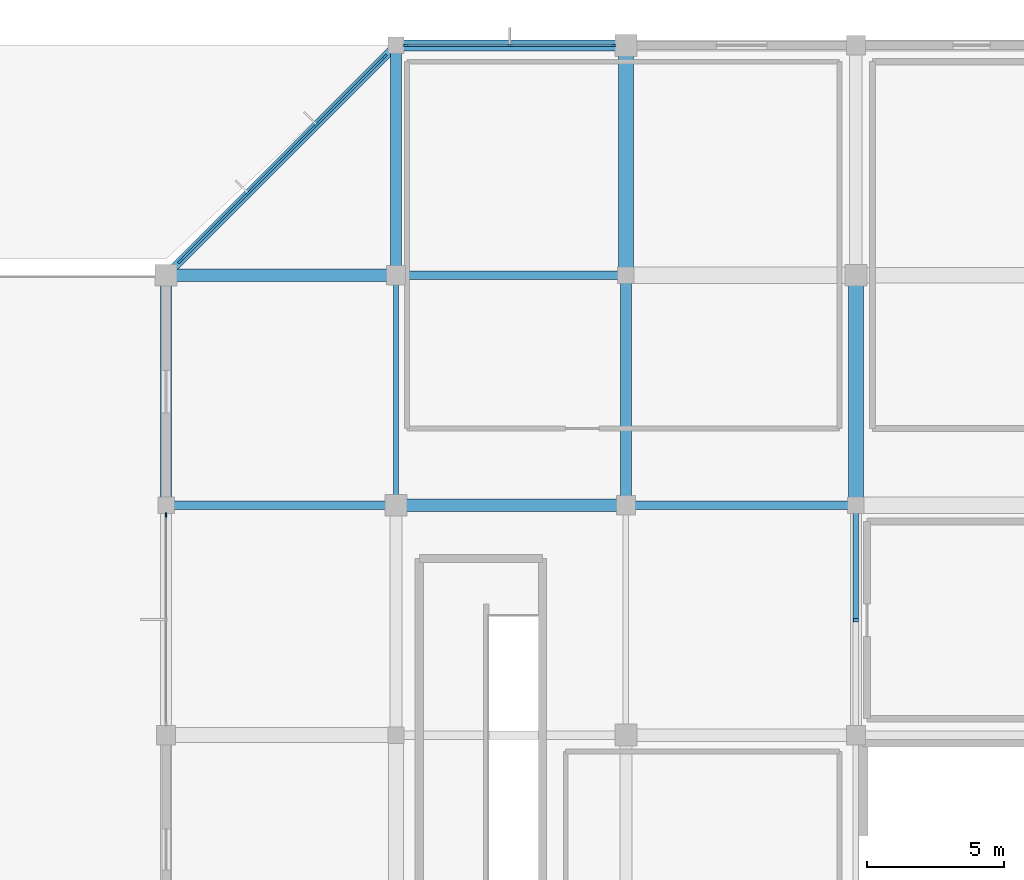
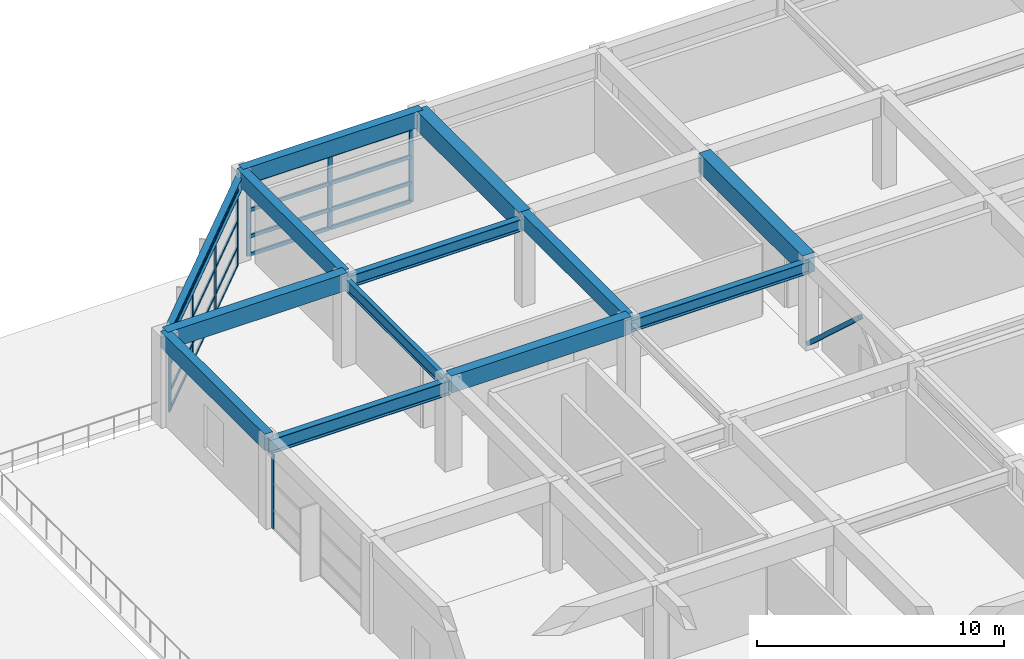
# One storey, part 21 of 56: 29 members, 13 beams, 3 elements without a shape of their own.
"""IFC4 building model written with IfcOpenShell, lengths in metres."""

from ifc_helpers import new_model, si_unit, direction, frame, origin, origin_2d, place, context, subcontext, project, spatial, rectangle, hollow_rectangle, i_section, extrude, material, material_profile, profile_set, type_object, element, aggregate, save


model = new_model("IFC4")

# Units and contexts
model_context = context("Model", 3, precision=1e-05, world=origin(), true_north=direction((0.0, 1.0)))
body_context = subcontext(model_context, "Body", "Model", "MODEL_VIEW")
ifc_project = project(units=[si_unit("LENGTHUNIT", "METRE"), si_unit("AREAUNIT", "SQUARE_METRE"), si_unit("VOLUMEUNIT", "CUBIC_METRE"), si_unit("PLANEANGLEUNIT", "RADIAN"), si_unit("MASSUNIT", "GRAM", prefix="KILO")], contexts=[model_context])

# Site, building, storey
site_placement = place(None, origin())
site = spatial("IfcSite", under=ifc_project, at=site_placement, CompositionType="ELEMENT")
building_placement = place(site_placement, origin())
building = spatial("IfcBuilding", under=site, at=building_placement, Name="Xuanlan Plaza Opera House", CompositionType="ELEMENT")
storey_placement = place(building_placement, frame((0.0, 0.0, 18.89990234375)))
storey = spatial("IfcBuildingStorey", under=building, at=storey_placement, Name="L04", CompositionType="ELEMENT", Elevation=18.89990234375)

# Curtain wall, member
ifc_material_1 = material(Name="Anodised Aluminium 6063-T6 and Low-E Glass", Category="aluminium")
curtain_wall_type_1 = type_object("IfcCurtainWallType", Name="ENV-CW-CW-03", PredefinedType="USERDEFINED", material=ifc_material_1)
curtain_wall_1_placement = place(storey_placement, origin())
curtain_wall_1 = element("IfcCurtainWall", 1, at=curtain_wall_1_placement, inside=storey, type_object=curtain_wall_type_1, Name="Unitised Curtain Wall L04-045", ObjectType="UNITISED CURTAIN WALL", PredefinedType="USERDEFINED")
ifc_material_2 = material(Name="Anodised Aluminium 6063-T6", Category="aluminium")
ifc_material_profile_1 = material_profile(ifc_material_2, rectangle(XDim=0.06494140625, YDim=0.159912109375, at=origin_2d()), Name="ALU-M 65x160")
ifc_profile_set_1 = profile_set([ifc_material_profile_1], Name="Anodised Aluminium 6063-T6")
member_type_1 = type_object("IfcMemberType", Name="ENV-CWM-01", PredefinedType="MULLION", material=ifc_profile_set_1)
member_1_placement = place(storey_placement, frame((16.800048828125, 83.6474609375, 0.0), z_axis=(0.0, 0.0, 1.0), x_axis=(1.0, 0.0, 0.0)))
member_1 = element("IfcMember", 2, at=member_1_placement, type_object=member_type_1, Name="CW-03 mullion 1", PredefinedType="MULLION", context=body_context, shape_type="SweptSolid", body=[
    extrude(rectangle(XDim=0.06494140625, YDim=0.159912109375, at=origin_2d()), origin(), (0.0, 0.0, 1.0), 3.68017578125),
])
aggregate(curtain_wall_1, [member_1])

# Curtain wall, members
curtain_wall_type_2 = type_object("IfcCurtainWallType", Name="ENV-CW-CW-04", PredefinedType="USERDEFINED", material=ifc_material_1)
curtain_wall_2_placement = place(storey_placement, origin())
curtain_wall_2 = element("IfcCurtainWall", 3, at=curtain_wall_2_placement, inside=storey, type_object=curtain_wall_type_2, Name="Unitised Curtain Wall L04-042", ObjectType="UNITISED CURTAIN WALL", PredefinedType="USERDEFINED")
ifc_material_profile_2 = material_profile(ifc_material_2, rectangle(XDim=0.074951171875, YDim=0.199951171875, at=origin_2d()), Name="ALU-M 75x200")
ifc_profile_set_2 = profile_set([ifc_material_profile_2], Name="Anodised Aluminium 6063-T6")
member_type_2 = type_object("IfcMemberType", Name="ENV-CWM-03", PredefinedType="MULLION", material=ifc_profile_set_2)
member_2_placement = place(storey_placement, frame((33.142578125, 100.800048828125, 0.0), z_axis=(0.0, 0.0, 1.0), x_axis=(0.0, -1.0, 0.0)))
member_2 = element("IfcMember", 4, at=member_2_placement, type_object=member_type_2, Name="CW-04 mullion 1", PredefinedType="MULLION", context=body_context, shape_type="SweptSolid", body=[
    extrude(rectangle(XDim=0.074951171875, YDim=0.199951171875, at=origin_2d()), origin(), (0.0, 0.0, 1.0), 3.68017578125),
])
member_3_placement = place(storey_placement, frame((29.35009765625, 100.800048828125, 0.0), z_axis=(0.0, 0.0, 1.0), x_axis=(0.0, -1.0, 0.0)))
member_3 = element("IfcMember", 5, at=member_3_placement, type_object=member_type_2, Name="CW-04 mullion 2", PredefinedType="MULLION", context=body_context, shape_type="SweptSolid", body=[
    extrude(rectangle(XDim=0.074951171875, YDim=0.199951171875, at=origin_2d()), origin(), (0.0, 0.0, 1.0), 3.68017578125),
])
member_4_placement = place(storey_placement, frame((25.5576171875, 100.800048828125, 0.0), z_axis=(0.0, 0.0, 1.0), x_axis=(0.0, -1.0, 0.0)))
member_4 = element("IfcMember", 6, at=member_4_placement, type_object=member_type_2, Name="CW-04 mullion 3", PredefinedType="MULLION", context=body_context, shape_type="SweptSolid", body=[
    extrude(rectangle(XDim=0.074951171875, YDim=0.199951171875, at=origin_2d()), origin(), (0.0, 0.0, 1.0), 3.68017578125),
])

curtain_wall_type_3 = type_object("IfcCurtainWallType", Name="ENV-CW-CW-01", PredefinedType="USERDEFINED", material=ifc_material_1)
curtain_wall_3_placement = place(storey_placement, origin())
curtain_wall_3 = element("IfcCurtainWall", 7, at=curtain_wall_3_placement, inside=storey, type_object=curtain_wall_type_3, Name="Unitised Curtain Wall L04-043", ObjectType="UNITISED CURTAIN WALL", PredefinedType="USERDEFINED")
ifc_material_profile_3 = material_profile(ifc_material_2, rectangle(XDim=0.080078125, YDim=0.219970703125, at=origin_2d()), Name="ALU-M 80x220")
ifc_profile_set_3 = profile_set([ifc_material_profile_3], Name="Anodised Aluminium 6063-T6")
member_type_3 = type_object("IfcMemberType", Name="ENV-CWM-04", PredefinedType="MULLION", material=ifc_profile_set_3)
member_5_placement = place(storey_placement, frame((24.772705078125, 100.372802734375, 0.0), z_axis=(0.0, 0.0, 1.0), x_axis=(0.707106781187, -0.707106781187, 0.0)))
member_5 = element("IfcMember", 8, at=member_5_placement, type_object=member_type_3, Name="CW-01 mullion 1", PredefinedType="MULLION", context=body_context, shape_type="SweptSolid", body=[
    extrude(rectangle(XDim=0.080078125, YDim=0.219970703125, at=origin_2d()), origin(), (0.0, 0.0, 1.0), 3.68017578125),
])
member_6_placement = place(storey_placement, frame((22.30029296875, 97.900390625, 0.0), z_axis=(0.0, 0.0, 1.0), x_axis=(0.707106781187, -0.707106781187, 0.0)))
member_6 = element("IfcMember", 9, at=member_6_placement, type_object=member_type_3, Name="CW-01 mullion 2", PredefinedType="MULLION", context=body_context, shape_type="SweptSolid", body=[
    extrude(rectangle(XDim=0.080078125, YDim=0.219970703125, at=origin_2d()), origin(), (0.0, 0.0, 1.0), 3.68017578125),
])
member_7_placement = place(storey_placement, frame((19.799560546875, 95.399658203125, 0.0), z_axis=(0.0, 0.0, 1.0), x_axis=(0.707106781187, -0.707106781187, 0.0)))
member_7 = element("IfcMember", 10, at=member_7_placement, type_object=member_type_3, Name="CW-01 mullion 3", PredefinedType="MULLION", context=body_context, shape_type="SweptSolid", body=[
    extrude(rectangle(XDim=0.080078125, YDim=0.219970703125, at=origin_2d()), origin(), (0.0, 0.0, 1.0), 3.68017578125),
])
member_8_placement = place(storey_placement, frame((17.327392578125, 92.92724609375, 0.0), z_axis=(0.0, 0.0, 1.0), x_axis=(0.707106781187, -0.707106781187, 0.0)))
member_8 = element("IfcMember", 11, at=member_8_placement, type_object=member_type_3, Name="CW-01 mullion 4", PredefinedType="MULLION", context=body_context, shape_type="SweptSolid", body=[
    extrude(rectangle(XDim=0.080078125, YDim=0.219970703125, at=origin_2d()), origin(), (0.0, 0.0, 1.0), 3.68017578125),
])
ifc_material_profile_4 = material_profile(ifc_material_2, rectangle(XDim=0.070068359375, YDim=0.135009765625, at=origin_2d()), Name="ALU-T 70x135")
ifc_profile_set_4 = profile_set([ifc_material_profile_4], Name="Anodised Aluminium 6063-T6")
member_type_4 = type_object("IfcMemberType", Name="ENV-CWT-02", PredefinedType="USERDEFINED", material=ifc_profile_set_4)
member_9_placement = place(storey_placement, frame((24.744384765625, 100.344482421875, 0.03515625), z_axis=(-0.707106781187, -0.707106781187, 0.0), x_axis=(0.707106781187, -0.707106781187, 0.0)))
member_9 = element("IfcMember", 12, at=member_9_placement, type_object=member_type_4, Name="CW-01 transom 1.1", ObjectType="TRANSOM", PredefinedType="USERDEFINED", context=body_context, shape_type="SweptSolid", body=[
    extrude(rectangle(XDim=0.070068359375, YDim=0.135009765625, at=origin_2d()), origin(), (0.0, 0.0, 1.0), 3.41650390625),
])
member_10_placement = place(storey_placement, frame((24.744384765625, 100.344482421875, 0.9501953125), z_axis=(-0.707106781187, -0.707106781187, 0.0), x_axis=(0.707106781187, -0.707106781187, 0.0)))
member_10 = element("IfcMember", 13, at=member_10_placement, type_object=member_type_4, Name="CW-01 transom 1.2", ObjectType="TRANSOM", PredefinedType="USERDEFINED", context=body_context, shape_type="SweptSolid", body=[
    extrude(rectangle(XDim=0.070068359375, YDim=0.135009765625, at=origin_2d()), origin(), (0.0, 0.0, 1.0), 3.41650390625),
])
member_11_placement = place(storey_placement, frame((24.744384765625, 100.344482421875, 2.25), z_axis=(-0.707106781187, -0.707106781187, 0.0), x_axis=(0.707106781187, -0.707106781187, 0.0)))
member_11 = element("IfcMember", 14, at=member_11_placement, type_object=member_type_4, Name="CW-01 transom 1.3", ObjectType="TRANSOM", PredefinedType="USERDEFINED", context=body_context, shape_type="SweptSolid", body=[
    extrude(rectangle(XDim=0.070068359375, YDim=0.135009765625, at=origin_2d()), origin(), (0.0, 0.0, 1.0), 3.41650390625),
])
member_12_placement = place(storey_placement, frame((24.744384765625, 100.344482421875, 3.64501953125), z_axis=(-0.707106781187, -0.707106781187, 0.0), x_axis=(0.707106781187, -0.707106781187, 0.0)))
member_12 = element("IfcMember", 15, at=member_12_placement, type_object=member_type_4, Name="CW-01 transom 1.4", ObjectType="TRANSOM", PredefinedType="USERDEFINED", context=body_context, shape_type="SweptSolid", body=[
    extrude(rectangle(XDim=0.070068359375, YDim=0.135009765625, at=origin_2d()), origin(), (0.0, 0.0, 1.0), 3.41650390625),
])
member_13_placement = place(storey_placement, frame((22.27197265625, 97.8720703125, 0.03515625), z_axis=(-0.707106781187, -0.707106781187, 0.0), x_axis=(0.707106781187, -0.707106781187, 0.0)))
member_13 = element("IfcMember", 16, at=member_13_placement, type_object=member_type_4, Name="CW-01 transom 2.1", ObjectType="TRANSOM", PredefinedType="USERDEFINED", context=body_context, shape_type="SweptSolid", body=[
    extrude(rectangle(XDim=0.070068359375, YDim=0.135009765625, at=origin_2d()), origin(), (0.0, 0.0, 1.0), 3.45654296875),
])
member_14_placement = place(storey_placement, frame((22.27197265625, 97.8720703125, 0.9501953125), z_axis=(-0.707106781187, -0.707106781187, 0.0), x_axis=(0.707106781187, -0.707106781187, 0.0)))
member_14 = element("IfcMember", 17, at=member_14_placement, type_object=member_type_4, Name="CW-01 transom 2.2", ObjectType="TRANSOM", PredefinedType="USERDEFINED", context=body_context, shape_type="SweptSolid", body=[
    extrude(rectangle(XDim=0.070068359375, YDim=0.135009765625, at=origin_2d()), origin(), (0.0, 0.0, 1.0), 3.45654296875),
])
member_15_placement = place(storey_placement, frame((22.27197265625, 97.8720703125, 2.25), z_axis=(-0.707106781187, -0.707106781187, 0.0), x_axis=(0.707106781187, -0.707106781187, 0.0)))
member_15 = element("IfcMember", 18, at=member_15_placement, type_object=member_type_4, Name="CW-01 transom 2.3", ObjectType="TRANSOM", PredefinedType="USERDEFINED", context=body_context, shape_type="SweptSolid", body=[
    extrude(rectangle(XDim=0.070068359375, YDim=0.135009765625, at=origin_2d()), origin(), (0.0, 0.0, 1.0), 3.45654296875),
])
member_16_placement = place(storey_placement, frame((22.27197265625, 97.8720703125, 3.64501953125), z_axis=(-0.707106781187, -0.707106781187, 0.0), x_axis=(0.707106781187, -0.707106781187, 0.0)))
member_16 = element("IfcMember", 19, at=member_16_placement, type_object=member_type_4, Name="CW-01 transom 2.4", ObjectType="TRANSOM", PredefinedType="USERDEFINED", context=body_context, shape_type="SweptSolid", body=[
    extrude(rectangle(XDim=0.070068359375, YDim=0.135009765625, at=origin_2d()), origin(), (0.0, 0.0, 1.0), 3.45654296875),
])
member_17_placement = place(storey_placement, frame((19.771484375, 95.371337890625, 0.03515625), z_axis=(-0.707142508988, -0.70707105158, 0.0), x_axis=(0.70707105158, -0.707142508988, 0.0)))
member_17 = element("IfcMember", 20, at=member_17_placement, type_object=member_type_4, Name="CW-01 transom 3.1", ObjectType="TRANSOM", PredefinedType="USERDEFINED", context=body_context, shape_type="SweptSolid", body=[
    extrude(rectangle(XDim=0.070068359375, YDim=0.135009765625, at=origin_2d()), origin(), (0.0, 0.0, 1.0), 3.41650390625),
])
member_18_placement = place(storey_placement, frame((19.771484375, 95.371337890625, 0.9501953125), z_axis=(-0.707142508988, -0.70707105158, 0.0), x_axis=(0.70707105158, -0.707142508988, 0.0)))
member_18 = element("IfcMember", 21, at=member_18_placement, type_object=member_type_4, Name="CW-01 transom 3.2", ObjectType="TRANSOM", PredefinedType="USERDEFINED", context=body_context, shape_type="SweptSolid", body=[
    extrude(rectangle(XDim=0.070068359375, YDim=0.135009765625, at=origin_2d()), origin(), (0.0, 0.0, 1.0), 3.41650390625),
])
member_19_placement = place(storey_placement, frame((19.771484375, 95.371337890625, 2.25), z_axis=(-0.707142508988, -0.70707105158, 0.0), x_axis=(0.70707105158, -0.707142508988, 0.0)))
member_19 = element("IfcMember", 22, at=member_19_placement, type_object=member_type_4, Name="CW-01 transom 3.3", ObjectType="TRANSOM", PredefinedType="USERDEFINED", context=body_context, shape_type="SweptSolid", body=[
    extrude(rectangle(XDim=0.070068359375, YDim=0.135009765625, at=origin_2d()), origin(), (0.0, 0.0, 1.0), 3.41650390625),
])
member_20_placement = place(storey_placement, frame((19.771484375, 95.371337890625, 3.64501953125), z_axis=(-0.707142508988, -0.70707105158, 0.0), x_axis=(0.70707105158, -0.707142508988, 0.0)))
member_20 = element("IfcMember", 23, at=member_20_placement, type_object=member_type_4, Name="CW-01 transom 3.4", ObjectType="TRANSOM", PredefinedType="USERDEFINED", context=body_context, shape_type="SweptSolid", body=[
    extrude(rectangle(XDim=0.070068359375, YDim=0.135009765625, at=origin_2d()), origin(), (0.0, 0.0, 1.0), 3.41650390625),
])
aggregate(curtain_wall_3, [member_5, member_6, member_7, member_8, member_9, member_10, member_11, member_12, member_13, member_14, member_15, member_16, member_17, member_18, member_19, member_20])

# Member
ifc_material_profile_5 = material_profile(ifc_material_2, rectangle(XDim=0.090087890625, YDim=0.179931640625, at=origin_2d()), Name="ALU-T 90x180")
ifc_profile_set_5 = profile_set([ifc_material_profile_5], Name="Anodised Aluminium 6063-T6")
member_type_5 = type_object("IfcMemberType", Name="ENV-CWT-05", PredefinedType="USERDEFINED", material=ifc_profile_set_5)
member_21_placement = place(storey_placement, frame((33.10498046875, 100.800048828125, 0.045166015625), z_axis=(-1.0, 0.0, 0.0), x_axis=(0.0, -1.0, 0.0)))
member_21 = element("IfcMember", 24, at=member_21_placement, type_object=member_type_5, Name="CW-04 transom 1.1", ObjectType="TRANSOM", PredefinedType="USERDEFINED", context=body_context, shape_type="SweptSolid", body=[
    extrude(rectangle(XDim=0.090087890625, YDim=0.179931640625, at=origin_2d()), origin(), (0.0, 0.0, 1.0), 3.717529296875),
])

member_22_placement = place(storey_placement, frame((33.10498046875, 100.800048828125, 0.9501953125), z_axis=(-1.0, 0.0, 0.0), x_axis=(0.0, -1.0, 0.0)))
member_22 = element("IfcMember", 25, at=member_22_placement, type_object=member_type_5, Name="CW-04 transom 1.2", ObjectType="TRANSOM", PredefinedType="USERDEFINED", context=body_context, shape_type="SweptSolid", body=[
    extrude(rectangle(XDim=0.090087890625, YDim=0.179931640625, at=origin_2d()), origin(), (0.0, 0.0, 1.0), 3.717529296875),
])

member_23_placement = place(storey_placement, frame((33.10498046875, 100.800048828125, 2.25), z_axis=(-1.0, 0.0, 0.0), x_axis=(0.0, -1.0, 0.0)))
member_23 = element("IfcMember", 26, at=member_23_placement, type_object=member_type_5, Name="CW-04 transom 1.3", ObjectType="TRANSOM", PredefinedType="USERDEFINED", context=body_context, shape_type="SweptSolid", body=[
    extrude(rectangle(XDim=0.090087890625, YDim=0.179931640625, at=origin_2d()), origin(), (0.0, 0.0, 1.0), 3.717529296875),
])

member_24_placement = place(storey_placement, frame((33.10498046875, 100.800048828125, 3.635009765625), z_axis=(-1.0, 0.0, 0.0), x_axis=(0.0, -1.0, 0.0)))
member_24 = element("IfcMember", 27, at=member_24_placement, type_object=member_type_5, Name="CW-04 transom 1.4", ObjectType="TRANSOM", PredefinedType="USERDEFINED", context=body_context, shape_type="SweptSolid", body=[
    extrude(rectangle(XDim=0.090087890625, YDim=0.179931640625, at=origin_2d()), origin(), (0.0, 0.0, 1.0), 3.717529296875),
])

member_25_placement = place(storey_placement, frame((29.3125, 100.800048828125, 0.045166015625), z_axis=(-1.0, 0.0, 0.0), x_axis=(0.0, -1.0, 0.0)))
member_25 = element("IfcMember", 28, at=member_25_placement, type_object=member_type_5, Name="CW-04 transom 2.1", ObjectType="TRANSOM", PredefinedType="USERDEFINED", context=body_context, shape_type="SweptSolid", body=[
    extrude(rectangle(XDim=0.090087890625, YDim=0.179931640625, at=origin_2d()), origin(), (0.0, 0.0, 1.0), 3.717529296875),
])

member_26_placement = place(storey_placement, frame((29.3125, 100.800048828125, 0.9501953125), z_axis=(-1.0, 0.0, 0.0), x_axis=(0.0, -1.0, 0.0)))
member_26 = element("IfcMember", 29, at=member_26_placement, type_object=member_type_5, Name="CW-04 transom 2.2", ObjectType="TRANSOM", PredefinedType="USERDEFINED", context=body_context, shape_type="SweptSolid", body=[
    extrude(rectangle(XDim=0.090087890625, YDim=0.179931640625, at=origin_2d()), origin(), (0.0, 0.0, 1.0), 3.717529296875),
])

member_27_placement = place(storey_placement, frame((29.3125, 100.800048828125, 2.25), z_axis=(-1.0, 0.0, 0.0), x_axis=(0.0, -1.0, 0.0)))
member_27 = element("IfcMember", 30, at=member_27_placement, type_object=member_type_5, Name="CW-04 transom 2.3", ObjectType="TRANSOM", PredefinedType="USERDEFINED", context=body_context, shape_type="SweptSolid", body=[
    extrude(rectangle(XDim=0.090087890625, YDim=0.179931640625, at=origin_2d()), origin(), (0.0, 0.0, 1.0), 3.717529296875),
])

member_28_placement = place(storey_placement, frame((29.3125, 100.800048828125, 3.635009765625), z_axis=(-1.0, 0.0, 0.0), x_axis=(0.0, -1.0, 0.0)))
member_28 = element("IfcMember", 31, at=member_28_placement, type_object=member_type_5, Name="CW-04 transom 2.4", ObjectType="TRANSOM", PredefinedType="USERDEFINED", context=body_context, shape_type="SweptSolid", body=[
    extrude(rectangle(XDim=0.090087890625, YDim=0.179931640625, at=origin_2d()), origin(), (0.0, 0.0, 1.0), 3.717529296875),
])

aggregate(curtain_wall_2, [member_2, member_3, member_4, member_21, member_22, member_23, member_24, member_25, member_26, member_27, member_28])

# Beams
ifc_material_3 = material(Name="Concrete C50", Category="concrete")
ifc_material_profile_6 = material_profile(ifc_material_3, rectangle(XDim=0.550048828125, YDim=0.949951171875, at=origin_2d()), Name="RC-BM 550x950")
ifc_profile_set_6 = profile_set([ifc_material_profile_6], Name="Concrete C50")
beam_type_1 = type_object("IfcBeamType", Name="STR-BM-B-02", PredefinedType="BEAM", material=ifc_profile_set_6)
beam_1_placement = place(storey_placement, frame((33.60009765625, 92.39990234375, 4.025146484375), z_axis=(0.0, 1.0, 0.0), x_axis=(-1.0, 0.0, 0.0)))
element("IfcBeam", 32, at=beam_1_placement, inside=storey, type_object=beam_type_1, Name="Grid Beam Y L04 5/L-M", PredefinedType="BEAM", context=body_context, shape_type="SweptSolid", body=[
    extrude(rectangle(XDim=0.550048828125, YDim=0.949951171875, at=origin_2d()), origin(), (0.0, 0.0, 1.0), 8.400146484375),
])
beam_2_placement = place(storey_placement, frame((42.0, 84.0, 4.025146484375), z_axis=(0.0, 1.0, 0.0), x_axis=(-1.0, 0.0, 0.0)))
element("IfcBeam", 33, at=beam_2_placement, inside=storey, type_object=beam_type_1, Name="Grid Beam Y L04 6/K-L", PredefinedType="BEAM", context=body_context, shape_type="SweptSolid", body=[
    extrude(rectangle(XDim=0.550048828125, YDim=0.949951171875, at=origin_2d()), origin(), (0.0, 0.0, 1.0), 8.39990234375),
])
ifc_material_4 = material(Name="Concrete C40", Category="concrete")
ifc_material_profile_7 = material_profile(ifc_material_4, rectangle(XDim=0.449951171875, YDim=0.85009765625, at=origin_2d()), Name="RC-BM 450x850")
ifc_profile_set_7 = profile_set([ifc_material_profile_7], Name="Concrete C40")
beam_type_2 = type_object("IfcBeamType", Name="STR-BM-B-04", PredefinedType="BEAM", material=ifc_profile_set_7)
beam_3_placement = place(storey_placement, frame((25.199951171875, 84.0, 4.0751953125), z_axis=(1.0, 0.0, 0.0), x_axis=(0.0, 1.0, 0.0)))
element("IfcBeam", 34, at=beam_3_placement, inside=storey, type_object=beam_type_2, Name="Grid Beam X L04 4-5/K", PredefinedType="BEAM", context=body_context, shape_type="SweptSolid", body=[
    extrude(rectangle(XDim=0.449951171875, YDim=0.85009765625, at=origin_2d()), origin(), (0.0, 0.0, 1.0), 8.400146484375),
])
beam_4_placement = place(storey_placement, frame((16.800048828125, 92.39990234375, 4.0751953125), z_axis=(1.0, 0.0, 0.0), x_axis=(0.0, 1.0, 0.0)))
element("IfcBeam", 35, at=beam_4_placement, inside=storey, type_object=beam_type_2, Name="Grid Beam X L04 3-4/L", PredefinedType="BEAM", context=body_context, shape_type="SweptSolid", body=[
    extrude(rectangle(XDim=0.449951171875, YDim=0.85009765625, at=origin_2d()), origin(), (0.0, 0.0, 1.0), 8.39990234375),
])
ifc_material_profile_8 = material_profile(ifc_material_4, rectangle(XDim=0.39990234375, YDim=0.75, at=origin_2d()), Name="RC-BM 400x750")
ifc_profile_set_8 = profile_set([ifc_material_profile_8], Name="Concrete C40")
beam_type_3 = type_object("IfcBeamType", Name="STR-BM-B-06", PredefinedType="BEAM", material=ifc_profile_set_8)
beam_5_placement = place(storey_placement, frame((25.199951171875, 92.39990234375, 4.125), z_axis=(0.0, 1.0, 0.0), x_axis=(-1.0, 0.0, 0.0)))
element("IfcBeam", 36, at=beam_5_placement, inside=storey, type_object=beam_type_3, Name="Grid Beam Y L04 4/L-M", PredefinedType="BEAM", context=body_context, shape_type="SweptSolid", body=[
    extrude(rectangle(XDim=0.39990234375, YDim=0.75, at=origin_2d()), origin(), (0.0, 0.0, 1.0), 8.400146484375),
])
beam_6_placement = place(storey_placement, frame((33.60009765625, 84.0, 4.125), z_axis=(0.0, 1.0, 0.0), x_axis=(-1.0, 0.0, 0.0)))
element("IfcBeam", 37, at=beam_6_placement, inside=storey, type_object=beam_type_3, Name="Grid Beam Y L04 5/K-L", PredefinedType="BEAM", context=body_context, shape_type="SweptSolid", body=[
    extrude(rectangle(XDim=0.39990234375, YDim=0.75, at=origin_2d()), origin(), (0.0, 0.0, 1.0), 8.39990234375),
])
ifc_material_5 = material(Name="Steel Q355B", Category="steel")
ifc_material_profile_9 = material_profile(ifc_material_5, i_section(OverallWidth=0.300048828125, OverallDepth=0.699951171875, WebThickness=0.012939453125, FlangeThickness=0.02392578125, FilletRadius=0.02392578125, at=origin_2d()), Name="HN 700x300x13x24")
ifc_profile_set_9 = profile_set([ifc_material_profile_9], Name="Steel Q355B")
beam_type_4 = type_object("IfcBeamType", Name="STR-BM-SB-03", PredefinedType="BEAM", material=ifc_profile_set_9)
beam_7_placement = place(storey_placement, frame((16.800048828125, 84.0, 3.885009765625), z_axis=(1.0, 0.0, 0.0), x_axis=(0.0, 1.0, 0.0)))
element("IfcBeam", 38, at=beam_7_placement, inside=storey, type_object=beam_type_4, Name="Grid Beam X L04 3-4/K", PredefinedType="BEAM", context=body_context, shape_type="SweptSolid", body=[
    extrude(i_section(OverallWidth=0.300048828125, OverallDepth=0.699951171875, WebThickness=0.012939453125, FlangeThickness=0.02392578125, FilletRadius=0.02392578125, at=origin_2d()), origin(), (0.0, 0.0, 1.0), 8.39990234375),
])
ifc_material_profile_10 = material_profile(ifc_material_5, i_section(OverallWidth=0.199951171875, OverallDepth=0.60009765625, WebThickness=0.010986328125, FlangeThickness=0.01708984375, FilletRadius=0.02197265625, at=origin_2d()), Name="HN 600x200x11x17")
ifc_profile_set_10 = profile_set([ifc_material_profile_10], Name="Steel Q355B")
beam_type_5 = type_object("IfcBeamType", Name="STR-BM-SB-04", PredefinedType="BEAM", material=ifc_profile_set_10)
beam_8_placement = place(storey_placement, frame((25.199951171875, 84.0, 3.93505859375), z_axis=(0.0, 1.0, 0.0), x_axis=(-1.0, 0.0, 0.0)))
element("IfcBeam", 39, at=beam_8_placement, inside=storey, type_object=beam_type_5, Name="Grid Beam Y L04 4/K-L", PredefinedType="BEAM", context=body_context, shape_type="SweptSolid", body=[
    extrude(i_section(OverallWidth=0.199951171875, OverallDepth=0.60009765625, WebThickness=0.010986328125, FlangeThickness=0.01708984375, FilletRadius=0.02197265625, at=origin_2d()), origin(), (0.0, 0.0, 1.0), 8.39990234375),
])
ifc_material_profile_11 = material_profile(ifc_material_5, i_section(OverallWidth=0.300048828125, OverallDepth=0.587890625, WebThickness=0.011962890625, FlangeThickness=0.02001953125, FilletRadius=0.02392578125, at=origin_2d()), Name="HM 588x300x12x20")
ifc_profile_set_11 = profile_set([ifc_material_profile_11], Name="Steel Q355B")
beam_type_6 = type_object("IfcBeamType", Name="STR-BM-SB-06", PredefinedType="BEAM", material=ifc_profile_set_11)
beam_9_placement = place(storey_placement, frame((33.60009765625, 84.0, 3.941162109375), z_axis=(1.0, 0.0, 0.0), x_axis=(0.0, 1.0, 0.0)))
element("IfcBeam", 40, at=beam_9_placement, inside=storey, type_object=beam_type_6, Name="Grid Beam X L04 5-6/K", PredefinedType="BEAM", context=body_context, shape_type="SweptSolid", body=[
    extrude(i_section(OverallWidth=0.300048828125, OverallDepth=0.587890625, WebThickness=0.011962890625, FlangeThickness=0.02001953125, FilletRadius=0.02392578125, at=origin_2d()), origin(), (0.0, 0.0, 1.0), 8.39990234375),
])
beam_10_placement = place(storey_placement, frame((25.199951171875, 92.39990234375, 3.941162109375), z_axis=(1.0, 0.0, 0.0), x_axis=(0.0, 1.0, 0.0)))
element("IfcBeam", 41, at=beam_10_placement, inside=storey, type_object=beam_type_6, Name="Grid Beam X L04 4-5/L", PredefinedType="BEAM", context=body_context, shape_type="SweptSolid", body=[
    extrude(i_section(OverallWidth=0.300048828125, OverallDepth=0.587890625, WebThickness=0.011962890625, FlangeThickness=0.02001953125, FilletRadius=0.02392578125, at=origin_2d()), origin(), (0.0, 0.0, 1.0), 8.400146484375),
])
ifc_material_profile_12 = material_profile(ifc_material_4, rectangle(XDim=0.39990234375, YDim=0.800048828125, at=origin_2d()), Name="RC-SPD 400x800")
ifc_profile_set_12 = profile_set([ifc_material_profile_12], Name="Concrete C40")
beam_type_7 = type_object("IfcBeamType", Name="STR-BM-SP-01", PredefinedType="SPANDREL", material=ifc_profile_set_12)
beam_11_placement = place(storey_placement, frame((25.199951171875, 100.800048828125, 4.10009765625), z_axis=(1.0, 0.0, 0.0), x_axis=(0.0, 1.0, 0.0)))
element("IfcBeam", 42, at=beam_11_placement, inside=storey, type_object=beam_type_7, Name="Grid Beam X L04 4-5/M", PredefinedType="SPANDREL", context=body_context, shape_type="SweptSolid", body=[
    extrude(rectangle(XDim=0.39990234375, YDim=0.800048828125, at=origin_2d()), origin(), (0.0, 0.0, 1.0), 8.400146484375),
])
beam_12_placement = place(storey_placement, frame((16.800048828125, 84.0, 4.10009765625), z_axis=(0.0, 1.0, 0.0), x_axis=(-1.0, 0.0, 0.0)))
element("IfcBeam", 43, at=beam_12_placement, inside=storey, type_object=beam_type_7, Name="Grid Beam Y L04 3/K-L", PredefinedType="SPANDREL", context=body_context, shape_type="SweptSolid", body=[
    extrude(rectangle(XDim=0.39990234375, YDim=0.800048828125, at=origin_2d()), origin(), (0.0, 0.0, 1.0), 8.39990234375),
])
ifc_material_profile_13 = material_profile(ifc_material_5, i_section(OverallWidth=0.300048828125, OverallDepth=0.587890625, WebThickness=0.011962890625, FlangeThickness=0.02001953125, FilletRadius=0.02392578125, at=origin_2d()), Name="HM 588x300x12x20")
ifc_profile_set_13 = profile_set([ifc_material_profile_13], Name="Steel Q355B")
beam_type_8 = type_object("IfcBeamType", Name="STR-BM-SP-03", PredefinedType="SPANDREL", material=ifc_profile_set_13)
beam_13_placement = place(storey_placement, frame((16.800048828125, 92.39990234375, 3.941162109375), z_axis=(0.707096505339, 0.707117056885, 0.0), x_axis=(-0.707117056885, 0.707096505339, 0.0)))
element("IfcBeam", 44, at=beam_13_placement, inside=storey, type_object=beam_type_8, Name="Faceted Edge Spandrel L04 CH04", PredefinedType="SPANDREL", context=body_context, shape_type="SweptSolid", body=[
    extrude(i_section(OverallWidth=0.300048828125, OverallDepth=0.587890625, WebThickness=0.011962890625, FlangeThickness=0.02001953125, FilletRadius=0.02392578125, at=origin_2d()), origin(), (0.0, 0.0, 1.0), 11.87939453125),
])

# Member
ifc_material_profile_14 = material_profile(ifc_material_5, hollow_rectangle(XDim=0.199951171875, YDim=0.199951171875, WallThickness=0.010009765625, at=origin_2d()), Name="SHS 200x200x10")
ifc_profile_set_14 = profile_set([ifc_material_profile_14], Name="Steel Q355B")
member_type_6 = type_object("IfcMemberType", Name="STR-MEM-BR-07", PredefinedType="BRACE", material=ifc_profile_set_14)
member_29_placement = place(storey_placement, frame((42.0, 84.0, 0.10009765625), z_axis=(0.0, -0.737141689437, 0.675738210918), x_axis=(1.0, 0.0, 0.0)))
element("IfcMember", 45, at=member_29_placement, inside=storey, type_object=member_type_6, Name="Stage Lateral Chevron Brace L04-1B", PredefinedType="BRACE", context=body_context, shape_type="SweptSolid", body=[
    extrude(hollow_rectangle(XDim=0.199951171875, YDim=0.199951171875, WallThickness=0.010009765625, at=origin_2d()), origin(), (0.0, 0.0, 1.0), 5.697509765625),
])

save(model, "model.ifc")
